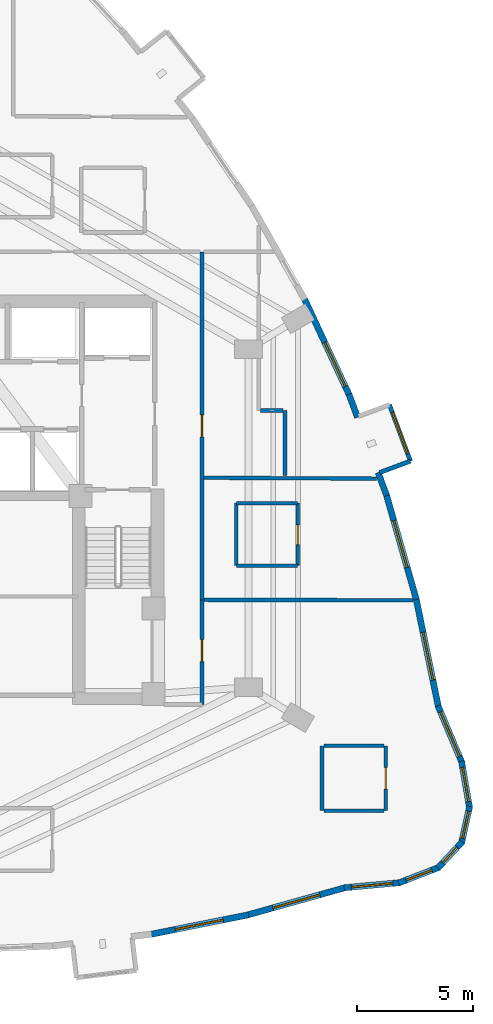
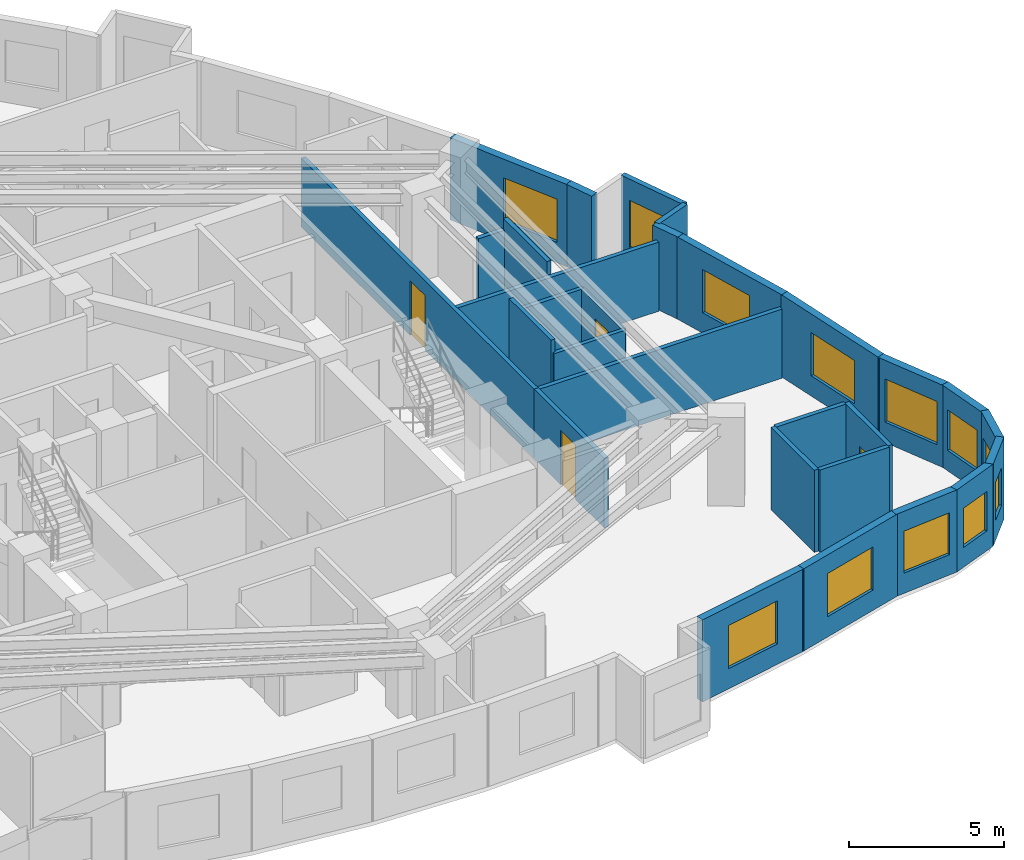
# One storey, part 9 of 12: 29 walls, 12 windows, 4 doors, 16 openings.
"""IFC4 building model written with IfcOpenShell, lengths in metres."""

from ifc_helpers import new_model, si_unit, direction, frame, frame_2d, origin, place, context, subcontext, project, spatial, rectangle, extrude, material, layer, layer_set, type_object, element, fill, save


model = new_model("IFC4")

# Units and contexts
model_context = context("Model", 3, precision=1e-05, world=origin(), true_north=direction((0.0, 1.0)))
body_context = subcontext(model_context, "Body", "Model", "MODEL_VIEW")
ifc_project = project(units=[si_unit("LENGTHUNIT", "METRE"), si_unit("AREAUNIT", "SQUARE_METRE"), si_unit("VOLUMEUNIT", "CUBIC_METRE"), si_unit("PLANEANGLEUNIT", "RADIAN"), si_unit("MASSUNIT", "GRAM", prefix="KILO")], contexts=[model_context])

# Site, building, storey
site_placement = place(None, origin())
site = spatial("IfcSite", under=ifc_project, at=site_placement, CompositionType="ELEMENT")
building_placement = place(site_placement, origin())
building = spatial("IfcBuilding", under=site, at=building_placement, Name="Miruveldt Soraemaru", CompositionType="ELEMENT")
storey_placement = place(building_placement, frame((0.0, 0.0, 107.39990234375)))
storey = spatial("IfcBuildingStorey", under=building, at=storey_placement, Name="L29", CompositionType="ELEMENT", Elevation=107.39990234375)

# Wall
ifc_material_1 = material(Name="White powder-coated aluminium EN AW-6060 T6", Category="aluminium")
ifc_layer_1 = layer(ifc_material_1, 0.18994140625, Name="White powder-coated aluminium EN AW-6060 T6", Category="aluminium")
ifc_layer_set_1 = layer_set([ifc_layer_1], Name="White powder-coated aluminium EN AW-6060 T6")
wall_type_1 = type_object("IfcWallType", Name="WALL-BAY-ALU190", PredefinedType="SOLIDWALL", material=ifc_layer_set_1)
wall_1_placement = place(storey_placement, frame((62.263671875, 45.063232421875, 0.0), z_axis=(0.0, 0.0, 1.0), x_axis=(0.937073323404, 0.34913262031, 0.0)))
element("IfcWall", 1, at=wall_1_placement, inside=storey, type_object=wall_type_1, Name="L29 Bay Window Side Cheek 2L", PredefinedType="SOLIDWALL", context=body_context, shape_type="SweptSolid", body=[
    extrude(rectangle(XDim=1.425048828125, YDim=0.18994140625, at=frame_2d((0.71240234375, 0.0))), origin(), (0.0, 0.0, 1.0), 3.235107421875),
])

# Wall, opening, window
wall_2_placement = place(storey_placement, frame((63.59912109375, 45.560791015625, 0.0), z_axis=(0.0, 0.0, 1.0), x_axis=(-0.349023333144, 0.937114034107, 0.0)))
wall_2 = element("IfcWall", 2, at=wall_2_placement, inside=storey, type_object=wall_type_1, Name="L29 Bay Window Front Frame 2", PredefinedType="SOLIDWALL", context=body_context, shape_type="SweptSolid", body=[
    extrude(rectangle(XDim=2.60009765625, YDim=0.18994140625, at=frame_2d((1.300048828125, 0.0))), origin(), (0.0, 0.0, 1.0), 3.235107421875),
])
opening_1_placement = place(wall_2_placement, frame((0.35009765625, 0.0, 0.550048828125)))
opening_1 = element("IfcOpeningElement", 3, at=opening_1_placement, cuts=wall_2, Name="Opening WN-6", PredefinedType="OPENING", context=body_context, shape_type="SweptSolid", body=[
    extrude(rectangle(XDim=1.89990234375, YDim=1.85009765625, at=frame_2d((0.949951171875, 0.925048828125))), frame((0.0, 0.10498046875, 0.0), z_axis=(0.0, -1.0, 0.0), x_axis=(1.0, 0.0, 0.0)), (0.0, 0.0, 1.0), 0.2099609375),
])
ifc_material_2 = material(Name="Triple low-e insulated glazing", Category="glass")
window_type_1 = type_object("IfcWindowType", Name="WIN-BAYW-1900x1850", PartitioningType="SINGLE_PANEL", PredefinedType="WINDOW", material=ifc_material_2)
window_1_placement = place(opening_1_placement, origin())
window_1 = element("IfcWindow", 4, at=window_1_placement, inside=storey, type_object=window_type_1, Name="L29 Projecting Bay Window 2", OverallHeight=1.85009765625, OverallWidth=1.89990234375, PartitioningType="SINGLE_PANEL", PredefinedType="WINDOW", context=body_context, shape_type="SweptSolid", body=[
    extrude(rectangle(XDim=1.89990234375, YDim=1.85009765625, at=frame_2d((0.949951171875, 0.925048828125))), frame((0.0, 0.030029296875, 0.0), z_axis=(0.0, -1.0, 0.0), x_axis=(1.0, 0.0, 0.0)), (0.0, 0.0, 1.0), 0.06005859375),
])
fill(opening_1, window_1)

ifc_material_3 = material(Name="Precast concrete C45/55 (45 MPa)", Category="concrete")
ifc_layer_2 = layer(ifc_material_3, 0.27001953125, Name="Precast concrete C45/55 (45 MPa)", Category="concrete")
ifc_layer_set_2 = layer_set([ifc_layer_2], Name="Precast concrete C45/55 (45 MPa)")
wall_type_2 = type_object("IfcWallType", Name="WALL-EXT-PC270", PredefinedType="SOLIDWALL", material=ifc_layer_set_2)
wall_3_placement = place(storey_placement, frame((52.3505859375, 25.12060546875, 0.0), z_axis=(0.0, 0.0, 1.0), x_axis=(0.98057635362, 0.196137744255, 0.0)))
wall_3 = element("IfcWall", 5, at=wall_3_placement, inside=storey, type_object=wall_type_2, Name="L29 Precast Concrete Facade Wall 27", PredefinedType="SOLIDWALL", context=body_context, shape_type="SweptSolid", body=[
    extrude(rectangle(XDim=4.345458984375, YDim=0.27001953125, at=frame_2d((2.1728515625, 0.0))), origin(), (0.0, 0.0, 1.0), 3.235107421875),
])
opening_2_placement = place(wall_3_placement, frame((1.1220703125, 0.0, 0.800048828125)))
opening_2 = element("IfcOpeningElement", 6, at=opening_2_placement, cuts=wall_3, Name="Opening WN-1", PredefinedType="OPENING", context=body_context, shape_type="SweptSolid", body=[
    extrude(rectangle(XDim=2.10009765625, YDim=1.699951171875, at=frame_2d((1.050048828125, 0.85009765625))), frame((0.0, 0.14501953125, 0.0), z_axis=(0.0, -1.0, 0.0), x_axis=(1.0, 0.0, 0.0)), (0.0, 0.0, 1.0), 0.2900390625),
])
window_type_2 = type_object("IfcWindowType", Name="WIN-PUNCH-2100x1700", PartitioningType="SINGLE_PANEL", PredefinedType="WINDOW", material=ifc_material_2)
window_2_placement = place(opening_2_placement, origin())
window_2 = element("IfcWindow", 7, at=window_2_placement, inside=storey, type_object=window_type_2, Name="L29 Punched Triple-Glazed Window 27.1", OverallHeight=1.699951171875, OverallWidth=2.10009765625, PartitioningType="SINGLE_PANEL", PredefinedType="WINDOW", context=body_context, shape_type="SweptSolid", body=[
    extrude(rectangle(XDim=2.10009765625, YDim=1.699951171875, at=frame_2d((1.050048828125, 0.85009765625))), frame((0.0, 0.030029296875, 0.0), z_axis=(0.0, -1.0, 0.0), x_axis=(1.0, 0.0, 0.0)), (0.0, 0.0, 1.0), 0.06005859375),
])
fill(opening_2, window_2)

wall_4_placement = place(storey_placement, frame((56.54345703125, 25.956787109375, 0.0), z_axis=(0.0, 0.0, 1.0), x_axis=(0.962970324639, 0.269607406916, 0.0)))
wall_4 = element("IfcWall", 8, at=wall_4_placement, inside=storey, type_object=wall_type_2, Name="L29 Precast Concrete Facade Wall 28", PredefinedType="SOLIDWALL", context=body_context, shape_type="SweptSolid", body=[
    extrude(rectangle(XDim=4.423583984375, YDim=0.27001953125, at=frame_2d((2.2119140625, 0.0))), origin(), (0.0, 0.0, 1.0), 3.235107421875),
])
opening_3_placement = place(wall_4_placement, frame((1.162109375, 0.0, 0.800048828125)))
opening_3 = element("IfcOpeningElement", 9, at=opening_3_placement, cuts=wall_4, Name="Opening WN-1", PredefinedType="OPENING", context=body_context, shape_type="SweptSolid", body=[
    extrude(rectangle(XDim=2.10009765625, YDim=1.699951171875, at=frame_2d((1.050048828125, 0.85009765625))), frame((0.0, 0.14501953125, 0.0), z_axis=(0.0, -1.0, 0.0), x_axis=(1.0, 0.0, 0.0)), (0.0, 0.0, 1.0), 0.2900390625),
])
window_3_placement = place(opening_3_placement, origin())
window_3 = element("IfcWindow", 10, at=window_3_placement, inside=storey, type_object=window_type_2, Name="L29 Punched Triple-Glazed Window 28.1", OverallHeight=1.699951171875, OverallWidth=2.10009765625, PartitioningType="SINGLE_PANEL", PredefinedType="WINDOW", context=body_context, shape_type="SweptSolid", body=[
    extrude(rectangle(XDim=2.10009765625, YDim=1.699951171875, at=frame_2d((1.050048828125, 0.85009765625))), frame((0.0, 0.030029296875, 0.0), z_axis=(0.0, -1.0, 0.0), x_axis=(1.0, 0.0, 0.0)), (0.0, 0.0, 1.0), 0.06005859375),
])
fill(opening_3, window_3)

wall_5_placement = place(storey_placement, frame((60.734619140625, 27.13671875, 0.0), z_axis=(0.0, 0.0, 1.0), x_axis=(0.995757206461, 0.092019485874, 0.0)))
wall_5 = element("IfcWall", 11, at=wall_5_placement, inside=storey, type_object=wall_type_2, Name="L29 Precast Concrete Facade Wall 29", PredefinedType="SOLIDWALL", context=body_context, shape_type="SweptSolid", body=[
    extrude(rectangle(XDim=2.432861328125, YDim=0.27001953125, at=frame_2d((1.21630859375, 0.0))), origin(), (0.0, 0.0, 1.0), 3.235107421875),
])
opening_4_placement = place(wall_5_placement, frame((0.31689453125, 0.0, 0.800048828125)))
opening_4 = element("IfcOpeningElement", 12, at=opening_4_placement, cuts=wall_5, Name="Opening WN-2", PredefinedType="OPENING", context=body_context, shape_type="SweptSolid", body=[
    extrude(rectangle(XDim=1.800048828125, YDim=1.64990234375, at=frame_2d((0.89990234375, 0.824951171875))), frame((0.0, 0.14501953125, 0.0), z_axis=(0.0, -1.0, 0.0), x_axis=(1.0, 0.0, 0.0)), (0.0, 0.0, 1.0), 0.2900390625),
])
window_type_3 = type_object("IfcWindowType", Name="WIN-PUNCH-1800x1650", PartitioningType="SINGLE_PANEL", PredefinedType="WINDOW", material=ifc_material_2)
window_4_placement = place(opening_4_placement, origin())
window_4 = element("IfcWindow", 13, at=window_4_placement, inside=storey, type_object=window_type_3, Name="L29 Punched Triple-Glazed Window 29.1", OverallHeight=1.64990234375, OverallWidth=1.800048828125, PartitioningType="SINGLE_PANEL", PredefinedType="WINDOW", context=body_context, shape_type="SweptSolid", body=[
    extrude(rectangle(XDim=1.800048828125, YDim=1.64990234375, at=frame_2d((0.89990234375, 0.824951171875))), frame((0.0, 0.030029296875, 0.0), z_axis=(0.0, -1.0, 0.0), x_axis=(1.0, 0.0, 0.0)), (0.0, 0.0, 1.0), 0.06005859375),
])
fill(opening_4, window_4)

wall_6_placement = place(storey_placement, frame((63.08984375, 27.344482421875, 0.0), z_axis=(0.0, 0.0, 1.0), x_axis=(0.932266214278, 0.361773003023, 0.0)))
wall_6 = element("IfcWall", 14, at=wall_6_placement, inside=storey, type_object=wall_type_2, Name="L29 Precast Concrete Facade Wall 30", PredefinedType="SOLIDWALL", context=body_context, shape_type="SweptSolid", body=[
    extrude(rectangle(XDim=1.872802734375, YDim=0.27001953125, at=frame_2d((0.9365234375, 0.0))), origin(), (0.0, 0.0, 1.0), 3.235107421875),
])
opening_5_placement = place(wall_6_placement, frame((0.3369140625, 0.0, 0.780029296875)))
opening_5 = element("IfcOpeningElement", 15, at=opening_5_placement, cuts=wall_6, Name="Opening WN-4", PredefinedType="OPENING", context=body_context, shape_type="SweptSolid", body=[
    extrude(rectangle(XDim=1.199951171875, YDim=1.550048828125, at=frame_2d((0.60009765625, 0.77490234375))), frame((0.0, 0.14501953125, 0.0), z_axis=(0.0, -1.0, 0.0), x_axis=(1.0, 0.0, 0.0)), (0.0, 0.0, 1.0), 0.2900390625),
])
window_type_4 = type_object("IfcWindowType", Name="WIN-PUNCH-1200x1550", PartitioningType="SINGLE_PANEL", PredefinedType="WINDOW", material=ifc_material_2)
window_5_placement = place(opening_5_placement, origin())
window_5 = element("IfcWindow", 16, at=window_5_placement, inside=storey, type_object=window_type_4, Name="L29 Punched Triple-Glazed Window 30.1", OverallHeight=1.550048828125, OverallWidth=1.199951171875, PartitioningType="SINGLE_PANEL", PredefinedType="WINDOW", context=body_context, shape_type="SweptSolid", body=[
    extrude(rectangle(XDim=1.199951171875, YDim=1.550048828125, at=frame_2d((0.60009765625, 0.77490234375))), frame((0.0, 0.030029296875, 0.0), z_axis=(0.0, -1.0, 0.0), x_axis=(1.0, 0.0, 0.0)), (0.0, 0.0, 1.0), 0.06005859375),
])
fill(opening_5, window_5)

wall_7_placement = place(storey_placement, frame((64.779296875, 27.983642578125, 0.0), z_axis=(0.0, 0.0, 1.0), x_axis=(0.68019166937, 0.733034305418, 0.0)))
wall_7 = element("IfcWall", 17, at=wall_7_placement, inside=storey, type_object=wall_type_2, Name="L29 Precast Concrete Facade Wall 31", PredefinedType="SOLIDWALL", context=body_context, shape_type="SweptSolid", body=[
    extrude(rectangle(XDim=1.552490234375, YDim=0.27001953125, at=frame_2d((0.7763671875, 0.0))), origin(), (0.0, 0.0, 1.0), 3.235107421875),
])
opening_6_placement = place(wall_7_placement, frame((0.325927734375, 0.0, 0.780029296875)))
opening_6 = element("IfcOpeningElement", 18, at=opening_6_placement, cuts=wall_7, Name="Opening WN-7", PredefinedType="OPENING", context=body_context, shape_type="SweptSolid", body=[
    extrude(rectangle(XDim=0.89990234375, YDim=1.5, at=frame_2d((0.449951171875, 0.75))), frame((0.0, 0.14501953125, 0.0), z_axis=(0.0, -1.0, 0.0), x_axis=(1.0, 0.0, 0.0)), (0.0, 0.0, 1.0), 0.2900390625),
])
window_type_5 = type_object("IfcWindowType", Name="WIN-PUNCH-900x1500", PartitioningType="SINGLE_PANEL", PredefinedType="WINDOW", material=ifc_material_2)
window_6_placement = place(opening_6_placement, origin())
window_6 = element("IfcWindow", 19, at=window_6_placement, inside=storey, type_object=window_type_5, Name="L29 Punched Triple-Glazed Window 31.1", OverallHeight=1.5, OverallWidth=0.89990234375, PartitioningType="SINGLE_PANEL", PredefinedType="WINDOW", context=body_context, shape_type="SweptSolid", body=[
    extrude(rectangle(XDim=0.89990234375, YDim=1.5, at=frame_2d((0.449951171875, 0.75))), frame((0.0, 0.030029296875, 0.0), z_axis=(0.0, -1.0, 0.0), x_axis=(1.0, 0.0, 0.0)), (0.0, 0.0, 1.0), 0.06005859375),
])
fill(opening_6, window_6)

wall_8_placement = place(storey_placement, frame((65.803955078125, 29.061767578125, 0.0), z_axis=(0.0, 0.0, 1.0), x_axis=(0.215628344591, 0.976475507634, 0.0)))
wall_8 = element("IfcWall", 20, at=wall_8_placement, inside=storey, type_object=wall_type_2, Name="L29 Precast Concrete Facade Wall 32", PredefinedType="SOLIDWALL", context=body_context, shape_type="SweptSolid", body=[
    extrude(rectangle(XDim=1.628173828125, YDim=0.27001953125, at=frame_2d((0.81396484375, 0.0))), origin(), (0.0, 0.0, 1.0), 3.235107421875),
])
opening_7_placement = place(wall_8_placement, frame((0.214111328125, 0.0, 0.780029296875)))
opening_7 = element("IfcOpeningElement", 21, at=opening_7_placement, cuts=wall_8, Name="Opening WN-4", PredefinedType="OPENING", context=body_context, shape_type="SweptSolid", body=[
    extrude(rectangle(XDim=1.199951171875, YDim=1.550048828125, at=frame_2d((0.60009765625, 0.77490234375))), frame((0.0, 0.14501953125, 0.0), z_axis=(0.0, -1.0, 0.0), x_axis=(1.0, 0.0, 0.0)), (0.0, 0.0, 1.0), 0.2900390625),
])
window_7_placement = place(opening_7_placement, origin())
window_7 = element("IfcWindow", 22, at=window_7_placement, inside=storey, type_object=window_type_4, Name="L29 Punched Triple-Glazed Window 32.1", OverallHeight=1.550048828125, OverallWidth=1.199951171875, PartitioningType="SINGLE_PANEL", PredefinedType="WINDOW", context=body_context, shape_type="SweptSolid", body=[
    extrude(rectangle(XDim=1.199951171875, YDim=1.550048828125, at=frame_2d((0.60009765625, 0.77490234375))), frame((0.0, 0.030029296875, 0.0), z_axis=(0.0, -1.0, 0.0), x_axis=(1.0, 0.0, 0.0)), (0.0, 0.0, 1.0), 0.06005859375),
])
fill(opening_7, window_7)

wall_9_placement = place(storey_placement, frame((66.1533203125, 30.5830078125, 0.0), z_axis=(0.0, 0.0, 1.0), x_axis=(-0.16931007095, 0.985562834057, 0.0)))
wall_9 = element("IfcWall", 23, at=wall_9_placement, inside=storey, type_object=wall_type_2, Name="L29 Precast Concrete Facade Wall 33", PredefinedType="SOLIDWALL", context=body_context, shape_type="SweptSolid", body=[
    extrude(rectangle(XDim=2.054931640625, YDim=0.27001953125, at=frame_2d((1.02734375, 0.0))), origin(), (0.0, 0.0, 1.0), 3.235107421875),
])
opening_8_placement = place(wall_9_placement, frame((0.278076171875, 0.0, 0.800048828125)))
opening_8 = element("IfcOpeningElement", 24, at=opening_8_placement, cuts=wall_9, Name="Opening WN-3", PredefinedType="OPENING", context=body_context, shape_type="SweptSolid", body=[
    extrude(rectangle(XDim=1.5, YDim=1.60009765625, at=frame_2d((0.75, 0.800048828125))), frame((0.0, 0.14501953125, 0.0), z_axis=(0.0, -1.0, 0.0), x_axis=(1.0, 0.0, 0.0)), (0.0, 0.0, 1.0), 0.2900390625),
])
window_type_6 = type_object("IfcWindowType", Name="WIN-PUNCH-1500x1600", PartitioningType="SINGLE_PANEL", PredefinedType="WINDOW", material=ifc_material_2)
window_8_placement = place(opening_8_placement, origin())
window_8 = element("IfcWindow", 25, at=window_8_placement, inside=storey, type_object=window_type_6, Name="L29 Punched Triple-Glazed Window 33.1", OverallHeight=1.60009765625, OverallWidth=1.5, PartitioningType="SINGLE_PANEL", PredefinedType="WINDOW", context=body_context, shape_type="SweptSolid", body=[
    extrude(rectangle(XDim=1.5, YDim=1.60009765625, at=frame_2d((0.75, 0.800048828125))), frame((0.0, 0.030029296875, 0.0), z_axis=(0.0, -1.0, 0.0), x_axis=(1.0, 0.0, 0.0)), (0.0, 0.0, 1.0), 0.06005859375),
])
fill(opening_8, window_8)

wall_10_placement = place(storey_placement, frame((65.824951171875, 32.54150390625, 0.0), z_axis=(0.0, 0.0, 1.0), x_axis=(-0.38867133727, 0.921376465721, 0.0)))
wall_10 = element("IfcWall", 26, at=wall_10_placement, inside=storey, type_object=wall_type_2, Name="L29 Precast Concrete Facade Wall 34", PredefinedType="SOLIDWALL", context=body_context, shape_type="SweptSolid", body=[
    extrude(rectangle(XDim=2.66455078125, YDim=0.27001953125, at=frame_2d((1.332275390625, 0.0))), origin(), (0.0, 0.0, 1.0), 3.235107421875),
])
opening_9_placement = place(wall_10_placement, frame((0.281982421875, 0.0, 0.800048828125)))
opening_9 = element("IfcOpeningElement", 27, at=opening_9_placement, cuts=wall_10, Name="Opening WN-1", PredefinedType="OPENING", context=body_context, shape_type="SweptSolid", body=[
    extrude(rectangle(XDim=2.10009765625, YDim=1.699951171875, at=frame_2d((1.050048828125, 0.85009765625))), frame((0.0, 0.14501953125, 0.0), z_axis=(0.0, -1.0, 0.0), x_axis=(1.0, 0.0, 0.0)), (0.0, 0.0, 1.0), 0.2900390625),
])
window_9_placement = place(opening_9_placement, origin())
window_9 = element("IfcWindow", 28, at=window_9_placement, inside=storey, type_object=window_type_2, Name="L29 Punched Triple-Glazed Window 34.1", OverallHeight=1.699951171875, OverallWidth=2.10009765625, PartitioningType="SINGLE_PANEL", PredefinedType="WINDOW", context=body_context, shape_type="SweptSolid", body=[
    extrude(rectangle(XDim=2.10009765625, YDim=1.699951171875, at=frame_2d((1.050048828125, 0.85009765625))), frame((0.0, 0.030029296875, 0.0), z_axis=(0.0, -1.0, 0.0), x_axis=(1.0, 0.0, 0.0)), (0.0, 0.0, 1.0), 0.06005859375),
])
fill(opening_9, window_9)

wall_11_placement = place(storey_placement, frame((64.81005859375, 34.93017578125, 0.0), z_axis=(0.0, 0.0, 1.0), x_axis=(-0.201557182252, 0.97947674923, 0.0)))
wall_11 = element("IfcWall", 29, at=wall_11_placement, inside=storey, type_object=wall_type_2, Name="L29 Precast Concrete Facade Wall 35", PredefinedType="SOLIDWALL", context=body_context, shape_type="SweptSolid", body=[
    extrude(rectangle(XDim=4.82080078125, YDim=0.27001953125, at=frame_2d((2.410400390625, 0.0))), origin(), (0.0, 0.0, 1.0), 3.235107421875),
])
opening_10_placement = place(wall_11_placement, frame((1.2060546875, 0.0, 0.800048828125)))
opening_10 = element("IfcOpeningElement", 30, at=opening_10_placement, cuts=wall_11, Name="Opening WN-1", PredefinedType="OPENING", context=body_context, shape_type="SweptSolid", body=[
    extrude(rectangle(XDim=2.10009765625, YDim=1.699951171875, at=frame_2d((1.050048828125, 0.85009765625))), frame((0.0, 0.14501953125, 0.0), z_axis=(0.0, -1.0, 0.0), x_axis=(1.0, 0.0, 0.0)), (0.0, 0.0, 1.0), 0.2900390625),
])
window_10_placement = place(opening_10_placement, origin())
window_10 = element("IfcWindow", 31, at=window_10_placement, inside=storey, type_object=window_type_2, Name="L29 Punched Triple-Glazed Window 35.1", OverallHeight=1.699951171875, OverallWidth=2.10009765625, PartitioningType="SINGLE_PANEL", PredefinedType="WINDOW", context=body_context, shape_type="SweptSolid", body=[
    extrude(rectangle(XDim=2.10009765625, YDim=1.699951171875, at=frame_2d((1.050048828125, 0.85009765625))), frame((0.0, 0.030029296875, 0.0), z_axis=(0.0, -1.0, 0.0), x_axis=(1.0, 0.0, 0.0)), (0.0, 0.0, 1.0), 0.06005859375),
])
fill(opening_10, window_10)

wall_12_placement = place(storey_placement, frame((63.85498046875, 39.583984375, 0.0), z_axis=(0.0, 0.0, 1.0), x_axis=(-0.274932196805, 0.961463617179, 0.0)))
wall_12 = element("IfcWall", 32, at=wall_12_placement, inside=storey, type_object=wall_type_2, Name="L29 Precast Concrete Facade Wall 36", PredefinedType="SOLIDWALL", context=body_context, shape_type="SweptSolid", body=[
    extrude(rectangle(XDim=4.73583984375, YDim=0.27001953125, at=frame_2d((2.367919921875, 0.0))), origin(), (0.0, 0.0, 1.0), 3.235107421875),
])
opening_11_placement = place(wall_12_placement, frame((1.444091796875, 0.0, 0.800048828125)))
opening_11 = element("IfcOpeningElement", 33, at=opening_11_placement, cuts=wall_12, Name="Opening WN-1", PredefinedType="OPENING", context=body_context, shape_type="SweptSolid", body=[
    extrude(rectangle(XDim=2.10009765625, YDim=1.699951171875, at=frame_2d((1.050048828125, 0.85009765625))), frame((0.0, 0.14501953125, 0.0), z_axis=(0.0, -1.0, 0.0), x_axis=(1.0, 0.0, 0.0)), (0.0, 0.0, 1.0), 0.2900390625),
])
window_11_placement = place(opening_11_placement, origin())
window_11 = element("IfcWindow", 34, at=window_11_placement, inside=storey, type_object=window_type_2, Name="L29 Punched Triple-Glazed Window 36.1", OverallHeight=1.699951171875, OverallWidth=2.10009765625, PartitioningType="SINGLE_PANEL", PredefinedType="WINDOW", context=body_context, shape_type="SweptSolid", body=[
    extrude(rectangle(XDim=2.10009765625, YDim=1.699951171875, at=frame_2d((1.050048828125, 0.85009765625))), frame((0.0, 0.030029296875, 0.0), z_axis=(0.0, -1.0, 0.0), x_axis=(1.0, 0.0, 0.0)), (0.0, 0.0, 1.0), 0.06005859375),
])
fill(opening_11, window_11)

# Walls
for number, where, z_axis, x_axis, name in (
    (35, (62.57470703125, 44.070556640625, 0.0), (0.0, 0.0, 1.0), (-0.348994974881, 0.937124595509, 0.0), "L29 Precast Pier Wall 37A"),
    (36, (61.315185546875, 47.452392578125, 0.0), (0.0, 0.0, 1.0), (-0.348994974881, 0.937124595509, 0.0), "L29 Precast Pier Wall 37B"),
):
    element("IfcWall", number, at=place(storey_placement, frame(where, z_axis=z_axis, x_axis=x_axis)), inside=storey, type_object=wall_type_2, Name=name, PredefinedType="SOLIDWALL", context=body_context, shape_type="SweptSolid", body=[
        extrude(rectangle(XDim=1.06884765625, YDim=0.27001953125, at=frame_2d((0.534423828125, 0.0))), origin(), (0.0, 0.0, 1.0), 3.235107421875),
    ])

# Wall, opening, window
wall_13_placement = place(storey_placement, frame((60.968994140625, 48.3896484375, 0.0), z_axis=(0.0, 0.0, 1.0), x_axis=(-0.422316092013, 0.906448629778, 0.0)))
wall_13 = element("IfcWall", 37, at=wall_13_placement, inside=storey, type_object=wall_type_2, Name="L29 Precast Concrete Facade Wall 38", PredefinedType="SOLIDWALL", context=body_context, shape_type="SweptSolid", body=[
    extrude(rectangle(XDim=4.6484375, YDim=0.27001953125, at=frame_2d((2.32421875, 0.0))), origin(), (0.0, 0.0, 1.0), 3.235107421875),
])
opening_12_placement = place(wall_13_placement, frame((0.43896484375, 0.0, 0.800048828125)))
opening_12 = element("IfcOpeningElement", 38, at=opening_12_placement, cuts=wall_13, Name="Opening WN-1", PredefinedType="OPENING", context=body_context, shape_type="SweptSolid", body=[
    extrude(rectangle(XDim=2.10009765625, YDim=1.699951171875, at=frame_2d((1.050048828125, 0.85009765625))), frame((0.0, 0.14501953125, 0.0), z_axis=(0.0, -1.0, 0.0), x_axis=(1.0, 0.0, 0.0)), (0.0, 0.0, 1.0), 0.2900390625),
])
window_12_placement = place(opening_12_placement, origin())
window_12 = element("IfcWindow", 39, at=window_12_placement, inside=storey, type_object=window_type_2, Name="L29 Punched Triple-Glazed Window 38.1", OverallHeight=1.699951171875, OverallWidth=2.10009765625, PartitioningType="SINGLE_PANEL", PredefinedType="WINDOW", context=body_context, shape_type="SweptSolid", body=[
    extrude(rectangle(XDim=2.10009765625, YDim=1.699951171875, at=frame_2d((1.050048828125, 0.85009765625))), frame((0.0, 0.030029296875, 0.0), z_axis=(0.0, -1.0, 0.0), x_axis=(1.0, 0.0, 0.0)), (0.0, 0.0, 1.0), 0.06005859375),
])
fill(opening_12, window_12)

# Wall, opening, door
ifc_material_4 = material(Name="Gypsum plasterboard lining", Category="gypsum")
ifc_layer_3 = layer(ifc_material_4, 0.14990234375, Name="Gypsum plasterboard lining", Category="gypsum")
ifc_layer_set_3 = layer_set([ifc_layer_3], Name="Gypsum plasterboard lining")
wall_type_3 = type_object("IfcWallType", Name="WALL-INT-PLUMB", PredefinedType="PLUMBINGWALL", material=ifc_layer_set_3)
wall_14_placement = place(storey_placement, frame((58.72998046875, 41.049072265625, 0.0), z_axis=(0.0, 0.0, 1.0), x_axis=(0.0, 1.0, 0.0)))
wall_14 = element("IfcWall", 40, at=wall_14_placement, inside=storey, type_object=wall_type_3, Name="L29 Partition Wall 59", PredefinedType="PLUMBINGWALL", context=body_context, shape_type="SweptSolid", body=[
    extrude(rectangle(XDim=2.699951171875, YDim=0.14990234375, at=frame_2d((1.35009765625, 0.0))), origin(), (0.0, 0.0, 1.0), 2.72314453125),
])
opening_13_placement = place(wall_14_placement, frame((0.909912109375, 0.0, 0.0)))
opening_13 = element("IfcOpeningElement", 41, at=opening_13_placement, cuts=wall_14, Name="Opening FD3", PredefinedType="OPENING", context=body_context, shape_type="SweptSolid", body=[
    extrude(rectangle(XDim=0.85009765625, YDim=2.10009765625, at=frame_2d((0.425048828125, 1.050048828125))), frame((0.0, 0.0849609375, 0.0), z_axis=(0.0, -1.0, 0.0), x_axis=(1.0, 0.0, 0.0)), (0.0, 0.0, 1.0), 0.169921875),
])
ifc_material_5 = material(Name="Anodised aluminium EN AW-6063 T6", Category="aluminium")
door_type_1 = type_object("IfcDoorType", Name="DOOR-FD3-850", OperationType="NOTDEFINED", PredefinedType="DOOR", material=ifc_material_5)
door_1_placement = place(opening_13_placement, origin())
door_1 = element("IfcDoor", 42, at=door_1_placement, inside=storey, type_object=door_type_1, Name="L29 Unit 2905 BTH Door", OperationType="SINGLE_SWING_RIGHT", OverallHeight=2.10009765625, OverallWidth=0.85009765625, PredefinedType="DOOR", context=body_context, shape_type="SweptSolid", body=[
    extrude(rectangle(XDim=0.85009765625, YDim=2.10009765625, at=frame_2d((0.425048828125, 1.050048828125))), frame((0.0, 0.02490234375, 0.0), z_axis=(0.0, -1.0, 0.0), x_axis=(1.0, 0.0, 0.0)), (0.0, 0.0, 1.0), 0.050048828125),
])
fill(opening_13, door_1)

# Walls
wall_15_placement = place(storey_placement, frame((56.080078125, 43.7490234375, 0.0), z_axis=(0.0, 0.0, 1.0), x_axis=(0.0, -1.0, 0.0)))
element("IfcWall", 43, at=wall_15_placement, inside=storey, type_object=wall_type_3, Name="L29 Partition Wall 61", PredefinedType="PLUMBINGWALL", context=body_context, shape_type="SweptSolid", body=[
    extrude(rectangle(XDim=2.699951171875, YDim=0.14990234375, at=frame_2d((1.35009765625, 0.0))), origin(), (0.0, 0.0, 1.0), 3.235107421875),
])
for number, where, z_axis, x_axis, name in (
    (44, (58.72998046875, 43.7490234375, 0.0), (0.0, 0.0, 1.0), (-1.0, 0.0, 0.0), "L29 Partition Wall 60"),
    (45, (56.080078125, 41.049072265625, 0.0), (0.0, 0.0, 1.0), (1.0, 0.0, 0.0), "L29 Partition Wall 62"),
):
    element("IfcWall", number, at=place(storey_placement, frame(where, z_axis=z_axis, x_axis=x_axis)), inside=storey, type_object=wall_type_3, Name=name, PredefinedType="PLUMBINGWALL", context=body_context, shape_type="SweptSolid", body=[
        extrude(rectangle(XDim=2.64990234375, YDim=0.14990234375, at=frame_2d((1.324951171875, 0.0))), origin(), (0.0, 0.0, 1.0), 2.72314453125),
    ])

# Wall, opening, door
ifc_material_6 = material(Name="Concrete C40/50 (40 MPa)", Category="concrete")
ifc_layer_4 = layer(ifc_material_6, 0.159912109375, Name="Concrete C40/50 (40 MPa)", Category="concrete")
ifc_layer_set_4 = layer_set([ifc_layer_4], Name="Concrete C40/50 (40 MPa)")
wall_type_4 = type_object("IfcWallType", Name="WALL-INT-RC160", PredefinedType="SOLIDWALL", material=ifc_layer_set_4)
wall_16_placement = place(storey_placement, frame((54.60009765625, 39.571044921875, 0.0), z_axis=(0.0, 0.0, 1.0), x_axis=(0.0, 1.0, 0.0)))
wall_16 = element("IfcWall", 46, at=wall_16_placement, inside=storey, type_object=wall_type_4, Name="L29 Partition Wall 6", PredefinedType="SOLIDWALL", context=body_context, shape_type="SweptSolid", body=[
    extrude(rectangle(XDim=15.02392578125, YDim=0.159912109375, at=frame_2d((7.511962890625, 0.0))), origin(), (0.0, 0.0, 1.0), 2.72314453125),
])
opening_14_placement = place(wall_16_placement, frame((7.037109375, 0.0, 0.0)))
opening_14 = element("IfcOpeningElement", 47, at=opening_14_placement, cuts=wall_16, Name="Opening FD2", PredefinedType="OPENING", context=body_context, shape_type="SweptSolid", body=[
    extrude(rectangle(XDim=0.949951171875, YDim=2.14990234375, at=frame_2d((0.47509765625, 1.074951171875))), frame((0.0, 0.08984375, 0.0), z_axis=(0.0, -1.0, 0.0), x_axis=(1.0, 0.0, 0.0)), (0.0, 0.0, 1.0), 0.179931640625),
])
door_type_2 = type_object("IfcDoorType", Name="DOOR-FD2-950", OperationType="NOTDEFINED", PredefinedType="DOOR", material=ifc_material_5)
door_2_placement = place(opening_14_placement, origin())
door_2 = element("IfcDoor", 48, at=door_2_placement, inside=storey, type_object=door_type_2, Name="L29 Unit 2905 Entrance Fire Door", OperationType="SINGLE_SWING_LEFT", OverallHeight=2.14990234375, OverallWidth=0.949951171875, PredefinedType="DOOR", context=body_context, shape_type="SweptSolid", body=[
    extrude(rectangle(XDim=0.949951171875, YDim=2.14990234375, at=frame_2d((0.47509765625, 1.074951171875))), frame((0.0, 0.02490234375, 0.0), z_axis=(0.0, -1.0, 0.0), x_axis=(1.0, 0.0, 0.0)), (0.0, 0.0, 1.0), 0.050048828125),
])
fill(opening_14, door_2)

wall_17_placement = place(storey_placement, frame((54.60009765625, 35.050048828125, 0.0), z_axis=(0.0, 0.0, 1.0), x_axis=(0.0, 1.0, 0.0)))
wall_17 = element("IfcWall", 49, at=wall_17_placement, inside=storey, type_object=wall_type_4, Name="L29 Partition Wall 5", PredefinedType="SOLIDWALL", context=body_context, shape_type="SweptSolid", body=[
    extrude(rectangle(XDim=4.51904296875, YDim=0.159912109375, at=frame_2d((2.259521484375, 0.0))), origin(), (0.0, 0.0, 1.0), 2.735107421875),
])
opening_15_placement = place(wall_17_placement, frame((1.85498046875, 0.0, 0.0)))
opening_15 = element("IfcOpeningElement", 50, at=opening_15_placement, cuts=wall_17, Name="Opening FD2", PredefinedType="OPENING", context=body_context, shape_type="SweptSolid", body=[
    extrude(rectangle(XDim=0.949951171875, YDim=2.14990234375, at=frame_2d((0.47509765625, 1.074951171875))), frame((0.0, 0.08984375, 0.0), z_axis=(0.0, -1.0, 0.0), x_axis=(1.0, 0.0, 0.0)), (0.0, 0.0, 1.0), 0.179931640625),
])
door_3_placement = place(opening_15_placement, origin())
door_3 = element("IfcDoor", 51, at=door_3_placement, inside=storey, type_object=door_type_2, Name="L29 Unit CL04 Entrance Fire Door", OperationType="SINGLE_SWING_RIGHT", OverallHeight=2.14990234375, OverallWidth=0.949951171875, PredefinedType="DOOR", context=body_context, shape_type="SweptSolid", body=[
    extrude(rectangle(XDim=0.949951171875, YDim=2.14990234375, at=frame_2d((0.47509765625, 1.074951171875))), frame((0.0, 0.02490234375, 0.0), z_axis=(0.0, -1.0, 0.0), x_axis=(1.0, 0.0, 0.0)), (0.0, 0.0, 1.0), 0.050048828125),
])
fill(opening_15, door_3)

wall_18_placement = place(storey_placement, frame((62.530029296875, 30.468994140625, 0.0), z_axis=(0.0, 0.0, 1.0), x_axis=(0.0, 1.0, 0.0)))
wall_18 = element("IfcWall", 52, at=wall_18_placement, inside=storey, type_object=wall_type_4, Name="L29 Partition Wall 53", PredefinedType="SOLIDWALL", context=body_context, shape_type="SweptSolid", body=[
    extrude(rectangle(XDim=2.800048828125, YDim=0.159912109375, at=frame_2d((1.39990234375, 0.0))), origin(), (0.0, 0.0, 1.0), 3.235107421875),
])
opening_16_placement = place(wall_18_placement, frame((0.93994140625, 0.0, 0.0)))
opening_16 = element("IfcOpeningElement", 53, at=opening_16_placement, cuts=wall_18, Name="Opening D3A", PredefinedType="OPENING", context=body_context, shape_type="SweptSolid", body=[
    extrude(rectangle(XDim=0.919921875, YDim=2.10009765625, at=frame_2d((0.4599609375, 1.050048828125))), frame((0.0, 0.08984375, 0.0), z_axis=(0.0, -1.0, 0.0), x_axis=(1.0, 0.0, 0.0)), (0.0, 0.0, 1.0), 0.179931640625),
])
door_type_3 = type_object("IfcDoorType", Name="DOOR-INT-920", OperationType="NOTDEFINED", PredefinedType="DOOR", material=ifc_material_5)
door_4_placement = place(opening_16_placement, origin())
door_4 = element("IfcDoor", 54, at=door_4_placement, inside=storey, type_object=door_type_3, Name="L29 Unit CL04 KIT Door", OperationType="SINGLE_SWING_RIGHT", OverallHeight=2.10009765625, OverallWidth=0.919921875, PredefinedType="DOOR", context=body_context, shape_type="SweptSolid", body=[
    extrude(rectangle(XDim=0.919921875, YDim=2.10009765625, at=frame_2d((0.4599609375, 1.050048828125))), frame((0.0, 0.02490234375, 0.0), z_axis=(0.0, -1.0, 0.0), x_axis=(1.0, 0.0, 0.0)), (0.0, 0.0, 1.0), 0.050048828125),
])
fill(opening_16, door_4)

# Walls
wall_19_placement = place(storey_placement, frame((63.705078125, 39.554931640625, 0.0), z_axis=(0.0, 0.0, 1.0), x_axis=(-0.999998768308, 0.001569516928, 0.0)))
element("IfcWall", 55, at=wall_19_placement, inside=storey, type_object=wall_type_4, Name="L29 Partition Wall 57", PredefinedType="SOLIDWALL", context=body_context, shape_type="SweptSolid", body=[
    extrude(rectangle(XDim=9.02197265625, YDim=0.159912109375, at=frame_2d((4.510986328125, 0.0))), origin(), (0.0, 0.0, 1.0), 2.72314453125),
])
wall_20_placement = place(storey_placement, frame((62.14111328125, 44.804931640625, 0.0), z_axis=(0.0, 0.0, 1.0), x_axis=(-0.999987842371, 0.004931035341, 0.0)))
element("IfcWall", 56, at=wall_20_placement, inside=storey, type_object=wall_type_4, Name="L29 Partition Wall 74", PredefinedType="SOLIDWALL", context=body_context, shape_type="SweptSolid", body=[
    extrude(rectangle(XDim=7.47607421875, YDim=0.159912109375, at=frame_2d((3.738037109375, 0.0))), origin(), (0.0, 0.0, 1.0), 2.72314453125),
])
for number, where, z_axis, x_axis, name in (
    (57, (58.179931640625, 44.948974609375, 0.0), (0.0, 0.0, 1.0), (0.0, 1.0, 0.0), "L29 Partition Wall 63"),
    (58, (59.780029296875, 33.26904296875, 0.0), (0.0, 0.0, 1.0), (0.0, -1.0, 0.0), "L29 Partition Wall 55"),
):
    element("IfcWall", number, at=place(storey_placement, frame(where, z_axis=z_axis, x_axis=x_axis)), inside=storey, type_object=wall_type_4, Name=name, PredefinedType="SOLIDWALL", context=body_context, shape_type="SweptSolid", body=[
        extrude(rectangle(XDim=2.800048828125, YDim=0.159912109375, at=frame_2d((1.39990234375, 0.0))), origin(), (0.0, 0.0, 1.0), 3.235107421875),
    ])
for number, where, z_axis, x_axis, name in (
    (59, (62.449951171875, 33.26904296875, 0.0), (0.0, 0.0, 1.0), (-1.0, 0.0, 0.0), "L29 Partition Wall 54"),
    (60, (59.860107421875, 30.468994140625, 0.0), (0.0, 0.0, 1.0), (1.0, 0.0, 0.0), "L29 Partition Wall 56"),
):
    element("IfcWall", number, at=place(storey_placement, frame(where, z_axis=z_axis, x_axis=x_axis)), inside=storey, type_object=wall_type_4, Name=name, PredefinedType="SOLIDWALL", context=body_context, shape_type="SweptSolid", body=[
        extrude(rectangle(XDim=2.58984375, YDim=0.159912109375, at=frame_2d((1.294921875, 0.0))), origin(), (0.0, 0.0, 1.0), 3.235107421875),
    ])
wall_21_placement = place(storey_placement, frame((58.10009765625, 47.7490234375, 0.0), z_axis=(0.0, 0.0, 1.0), x_axis=(-1.0, 0.0, 0.0)))
element("IfcWall", 61, at=wall_21_placement, inside=storey, type_object=wall_type_4, Name="L29 Partition Wall 64", PredefinedType="SOLIDWALL", context=body_context, shape_type="SweptSolid", body=[
    extrude(rectangle(XDim=0.97021484375, YDim=0.159912109375, at=frame_2d((0.485107421875, 0.0))), origin(), (0.0, 0.0, 1.0), 2.822998046875),
])

save(model, "model.ifc")
